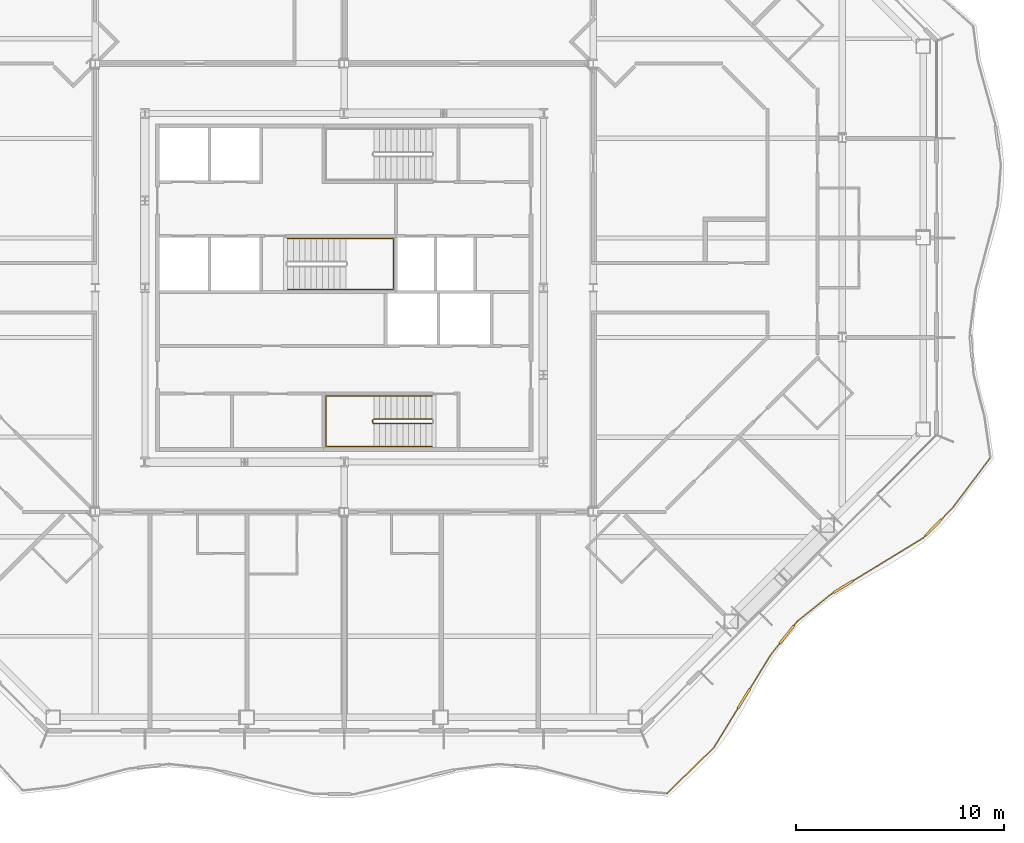
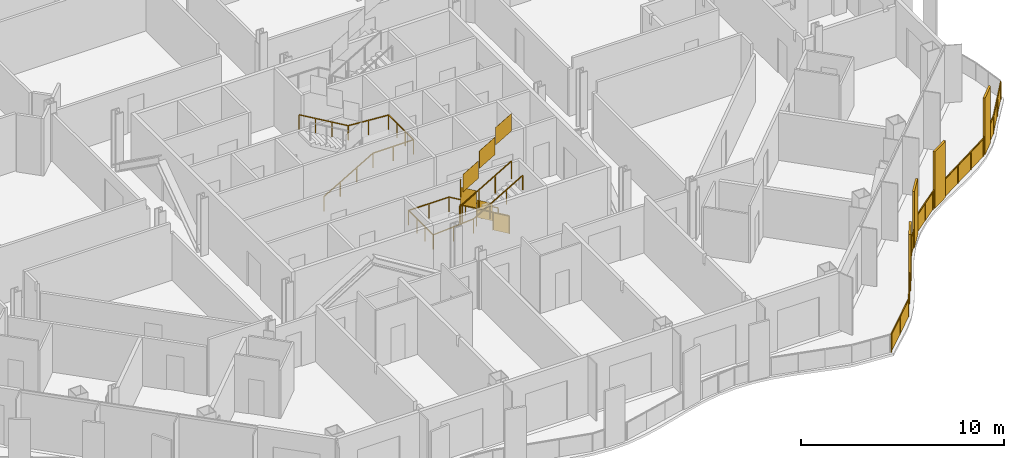
# One storey, part 18 of 21: 4 railings.
"""IFC4 building model written with IfcOpenShell, lengths in metres."""

import ifcopenshell
import ifcopenshell.guid

model = None  # the IFC model being written
_history = None  # IfcOwnerHistory: only IFC2X3 demands one
_inside = {}  # id of a spatial element -> (the spatial element, [elements in it])
_under = {}  # id of a project, library or spatial element -> (it, [spatial elements below it])
_declared = {}  # id of a project -> (the project, [libraries it declares])
_typed = {}  # id of a type object -> (the type object, [elements of that type])
_made_of = {}  # id of a material, layer set ... -> (it, [elements and type objects made of it])


def new_model(schema):
    """Start an empty IFC model of exactly this schema.

    Asked for "IFC4X3", IfcOpenShell would pick the latest addendum, in which some entities
    have other attributes; the version numbers below select the first issue.
    IFC2X3 requires an IfcOwnerHistory on every rooted entity: one is made here for all.
    """
    global model, _history
    if schema == "IFC4X3":
        model = ifcopenshell.file(schema_version=(4, 3, 0, 0))
    else:
        model = ifcopenshell.file(schema=schema)
    _inside.clear()
    _under.clear()
    _declared.clear()
    _typed.clear()
    _made_of.clear()
    _history = None
    if model.schema == "IFC2X3":
        org = make("IfcOrganization", Name="unknown")
        user = make(
            "IfcPersonAndOrganization",
            ThePerson=make("IfcPerson", FamilyName="unknown"),
            TheOrganization=org,
        )
        app = make(
            "IfcApplication",
            ApplicationDeveloper=org,
            Version="unknown",
            ApplicationFullName="unknown",
            ApplicationIdentifier="unknown",
        )
        _history = make(
            "IfcOwnerHistory",
            OwningUser=user,
            OwningApplication=app,
            ChangeAction="ADDED",
            CreationDate=0,
        )
    return model


def make(cls, **values):
    """One entity of the class cls with the attributes given. An attribute that is None is left unset."""
    return model.create_entity(
        cls, **{name: value for name, value in values.items() if value is not None}
    )


def rooted(cls, **values):
    """An entity with a GlobalId (a new one), such as an element, a storey or a relation."""
    return make(cls, GlobalId=ifcopenshell.guid.new(), OwnerHistory=_history, **values)


def si_unit(unit_type, name, prefix=None):
    """IfcSIUnit, for example si_unit("LENGTHUNIT", "METRE", prefix="MILLI")."""
    return make("IfcSIUnit", UnitType=unit_type, Prefix=prefix, Name=name)


def assignment(units):
    """IfcUnitAssignment: the units of a project."""
    return None if units is None else make("IfcUnitAssignment", Units=units)


def point(xyz):
    """IfcCartesianPoint."""
    return None if xyz is None else make("IfcCartesianPoint", Coordinates=xyz)


def direction(xyz):
    """IfcDirection."""
    return None if xyz is None else make("IfcDirection", DirectionRatios=xyz)


def frame(location, z_axis=None, x_axis=None):
    """IfcAxis2Placement3D, a coordinate frame: its origin and axes. An axis left out is left unset."""
    return make(
        "IfcAxis2Placement3D",
        Location=point(location),
        Axis=direction(z_axis),
        RefDirection=direction(x_axis),
    )


def frame_2d(location, x_axis=None):
    """IfcAxis2Placement2D, a coordinate frame in the plane: its origin and x axis."""
    return make(
        "IfcAxis2Placement2D", Location=point(location), RefDirection=direction(x_axis)
    )


def origin():
    """The frame at (0, 0, 0) with its axes left unset."""
    return frame((0.0, 0.0, 0.0))


def origin_2d():
    """The frame at (0, 0) in the plane with its x axis left unset."""
    return frame_2d((0.0, 0.0))


def place(relative_to, where):
    """IfcLocalPlacement: puts the frame where relative to a parent placement (None: the world)."""
    return make(
        "IfcLocalPlacement", PlacementRelTo=relative_to, RelativePlacement=where
    )


def context(
    kind, dimensions, precision=None, world=None, true_north=None, identifier=None
):
    """IfcGeometricRepresentationContext, for example the 3D "Model" context."""
    return make(
        "IfcGeometricRepresentationContext",
        ContextIdentifier=identifier,
        ContextType=kind,
        CoordinateSpaceDimension=dimensions,
        Precision=precision,
        WorldCoordinateSystem=world,
        TrueNorth=true_north,
    )


def subcontext(parent, identifier, kind, view, scale=None):
    """IfcGeometricRepresentationSubContext, for example "Body" below "Model"."""
    return make(
        "IfcGeometricRepresentationSubContext",
        ContextIdentifier=identifier,
        ContextType=kind,
        ParentContext=parent,
        TargetScale=scale,
        TargetView=view,
    )


def project(units=None, contexts=None):
    """IfcProject with its units and contexts."""
    return rooted(
        "IfcProject",
        Name="project",
        RepresentationContexts=contexts,
        UnitsInContext=assignment(units),
    )


def spatial(cls, under=None, at=None, **own):
    """A site, building, storey or space (cls), placed at a placement, below another one or the project."""
    s = rooted(cls, ObjectPlacement=at, **own)
    if under is not None:
        _under.setdefault(under.id(), (under, []))[1].append(s)
    return s


def polyline(points):
    """IfcPolyline through the points."""
    return make("IfcPolyline", Points=[point(p) for p in points])


def profile(cls, at=None, kind="AREA", **sizes):
    """A parametric profile (cls). Its sizes go by their IFC names, for example OverallWidth=200.0."""
    return make(cls, ProfileType=kind, Position=at, **sizes)


def rectangle(**sizes):
    """IfcRectangleProfileDef."""
    return profile("IfcRectangleProfileDef", **sizes)


def outline(outer, holes=None, kind="AREA"):
    """IfcArbitraryClosedProfileDef: a profile drawn as a closed curve; with holes, ...WithVoids."""
    if holes is None:
        return make("IfcArbitraryClosedProfileDef", ProfileType=kind, OuterCurve=outer)
    return make(
        "IfcArbitraryProfileDefWithVoids",
        ProfileType=kind,
        OuterCurve=outer,
        InnerCurves=holes,
    )


def extrude(swept, where, along, depth):
    """IfcExtrudedAreaSolid: the profile swept, set in the frame where, extruded along a direction by depth."""
    return make(
        "IfcExtrudedAreaSolid",
        SweptArea=swept,
        Position=where,
        ExtrudedDirection=direction(along),
        Depth=depth,
    )


def shape(context_of_items, identifier, shape_type, items):
    """IfcShapeRepresentation: the items that make up one representation, for example the "Body"."""
    return make(
        "IfcShapeRepresentation",
        ContextOfItems=context_of_items,
        RepresentationIdentifier=identifier,
        RepresentationType=shape_type,
        Items=items,
    )


def material(Name=None, Category=None):
    """IfcMaterial."""
    return make("IfcMaterial", Name=Name, Category=Category)


def made_of(thing, what):
    """Note that an element or type object is made of a material, layer set ...; save() writes the relation."""
    if what is not None:
        _made_of.setdefault(what.id(), (what, []))[1].append(thing)
    return thing


def type_object(cls, material=None, **own):
    """A type object (cls), such as IfcWallType, which elements share."""
    return made_of(rooted(cls, **own), material)


def element(
    cls,
    number,
    at=None,
    inside=None,
    cuts=None,
    type_object=None,
    material=None,
    context=None,
    identifier="Body",
    shape_type=None,
    held_by="IfcProductDefinitionShape",
    body=None,
    shapes=None,
    **own,
):
    """One element of the class cls, such as IfcWall. Its Tag is "e" and its number.

    at: its placement. inside: the storey or other place that contains it. cuts: it is an
    opening in that element (IfcRelVoidsElement). A single representation is given by context,
    identifier, shape_type and body (its items); several are given by shapes. held_by: the class
    of the entity that holds the representations. save() writes the other relations.
    """
    e = rooted(cls, Tag="e%d" % number, ObjectPlacement=at, **own)
    if body is not None:
        shapes = [shape(context, identifier, shape_type, body)]
    if shapes is not None:
        e.Representation = make(held_by, Representations=shapes)
    if inside is not None:
        _inside.setdefault(inside.id(), (inside, []))[1].append(e)
    if cuts is not None:
        rooted(
            "IfcRelVoidsElement", RelatingBuildingElement=cuts, RelatedOpeningElement=e
        )
    if type_object is not None:
        _typed.setdefault(type_object.id(), (type_object, []))[1].append(e)
    return made_of(e, material)


def aggregate(whole, parts):
    """IfcRelAggregates: a whole, such as a stair, and the parts it consists of."""
    return rooted("IfcRelAggregates", RelatingObject=whole, RelatedObjects=parts)


def save(model, path):
    """Write the relations noted so far, then the file.

    IfcRelAggregates (storeys below a building ...), IfcRelContainedInSpatialStructure (elements
    in a storey), IfcRelDefinesByType, IfcRelAssociatesMaterial and IfcRelDeclares: one each for
    every whole, place, type object, material and project.
    """
    for whole, parts in _under.values():
        aggregate(whole, parts)
    for where, things in _inside.values():
        rooted(
            "IfcRelContainedInSpatialStructure",
            RelatedElements=things,
            RelatingStructure=where,
        )
    for kind, things in _typed.values():
        rooted("IfcRelDefinesByType", RelatedObjects=things, RelatingType=kind)
    for what, things in _made_of.values():
        rooted("IfcRelAssociatesMaterial", RelatedObjects=things, RelatingMaterial=what)
    for by, libraries in _declared.values():
        rooted("IfcRelDeclares", RelatingContext=by, RelatedDefinitions=libraries)
    model.write(path)


model = new_model("IFC4")

# Units and contexts
model_context = context("Model", 3, precision=1e-05, world=origin(), true_north=direction((0.0, 1.0)))
body_context = subcontext(model_context, "Body", "Model", "MODEL_VIEW")
ifc_project = project(units=[si_unit("LENGTHUNIT", "METRE"), si_unit("AREAUNIT", "SQUARE_METRE"), si_unit("VOLUMEUNIT", "CUBIC_METRE"), si_unit("PLANEANGLEUNIT", "RADIAN"), si_unit("MASSUNIT", "GRAM", prefix="KILO")], contexts=[model_context])

# Site, building, storey
site_placement = place(None, origin())
site = spatial("IfcSite", under=ifc_project, at=site_placement, CompositionType="ELEMENT")
building_placement = place(site_placement, origin())
building = spatial("IfcBuilding", under=site, at=building_placement, Name="Cairn Pilgrim Tower", CompositionType="ELEMENT")
storey_placement = place(building_placement, frame((0.0, 0.0, 143.39990234375)))
storey = spatial("IfcBuildingStorey", under=building, at=storey_placement, Name="L35", CompositionType="ELEMENT", Elevation=143.39990234375)

# Railings
ifc_material_1 = material(Name="Bronze anodised aluminium rail, posts and fin screens with laminated glass infill", Category="aluminium")
railing_type_1 = type_object("IfcRailingType", Name="BALCONY GUARD WITH FIN SCREENS", PredefinedType="GUARDRAIL", material=ifc_material_1)
railing_1_placement = place(storey_placement, frame((22.7529296875, -21.963134765625, 0.0)))
element("IfcRailing", 1, at=railing_1_placement, inside=storey, type_object=railing_type_1, Name="Balcony guard BGF-2 with fin screens", PredefinedType="GUARDRAIL", context=body_context, shape_type="SweptSolid", body=[
    extrude(rectangle(XDim=0.050048828125, YDim=0.050048828125, at=origin_2d()), frame((0.0, 0.0, 1.0751953125), z_axis=(0.716130519256, 0.697966388439, 0.0), x_axis=(-0.697966388439, 0.716130519256, 0.0)), (0.0, 0.0, 1.0), 3.15869140625),
    extrude(rectangle(XDim=1.10009765625, YDim=0.110107421875, at=origin_2d()), frame((3.70947265625, 4.569091796875, 0.0), z_axis=(0.0, 0.0, 1.0), x_axis=(0.52208660069, 0.852892479378, 0.0)), (0.0, 0.0, 1.0), 3.39990234375),
    extrude(rectangle(XDim=0.050048828125, YDim=0.050048828125, at=origin_2d()), frame((2.261962890625, 2.20458984375, 1.0751953125), z_axis=(0.52208660069, 0.852892479378, 0.0), x_axis=(-0.852892479378, 0.52208660069, 0.0)), (0.0, 0.0, 1.0), 2.222412109375),
    extrude(rectangle(XDim=0.050048828125, YDim=0.050048828125, at=origin_2d()), frame((3.99658203125, 5.038330078125, 1.0751953125), z_axis=(0.52208660069, 0.852892479378, 0.0), x_axis=(-0.852892479378, 0.52208660069, 0.0)), (0.0, 0.0, 1.0), 1.904296875),
    extrude(rectangle(XDim=1.10009765625, YDim=0.110107421875, at=origin_2d()), frame((5.779052734375, 7.65625, 0.0), z_axis=(0.0, 0.0, 1.0), x_axis=(0.621419604969, 0.783477934955, 0.0)), (0.0, 0.0, 1.0), 3.39990234375),
    extrude(rectangle(XDim=0.050048828125, YDim=0.050048828125, at=origin_2d()), frame((4.99072265625, 6.662353515625, 1.0751953125), z_axis=(0.621419604969, 0.783477934955, 0.0), x_axis=(-0.783477934955, 0.621419604969, 0.0)), (0.0, 0.0, 1.0), 0.71875),
    extrude(rectangle(XDim=0.050048828125, YDim=0.050048828125, at=origin_2d()), frame((6.120849609375, 8.087158203125, 1.0751953125), z_axis=(0.621419604969, 0.783477934955, 0.0), x_axis=(-0.783477934955, 0.621419604969, 0.0)), (0.0, 0.0, 1.0), 0.25732421875),
    extrude(rectangle(XDim=0.050048828125, YDim=0.050048828125, at=origin_2d()), frame((6.28076171875, 8.288818359375, 1.0751953125), z_axis=(0.778867272827, 0.627188784434, 0.0), x_axis=(-0.627188784434, 0.778867272827, 0.0)), (0.0, 0.0, 1.0), 2.07470703125),
    extrude(rectangle(XDim=1.10009765625, YDim=0.110107421875, at=origin_2d()), frame((8.494140625, 9.95458984375, 0.0), z_axis=(0.0, 0.0, 1.0), x_axis=(0.853679739553, 0.520798331677, 0.0)), (0.0, 0.0, 1.0), 3.39990234375),
    extrude(rectangle(XDim=0.050048828125, YDim=0.050048828125, at=origin_2d()), frame((7.896728515625, 9.590087890625, 1.0751953125), z_axis=(0.853679739553, 0.520798331677, 0.0), x_axis=(-0.520798331677, 0.853679739553, 0.0)), (0.0, 0.0, 1.0), 0.14990234375),
    extrude(rectangle(XDim=0.050048828125, YDim=0.050048828125, at=origin_2d()), frame((8.9638671875, 10.240966796875, 1.0751953125), z_axis=(0.853679739553, 0.520798331677, 0.0), x_axis=(-0.520798331677, 0.853679739553, 0.0)), (0.0, 0.0, 1.0), 3.979248046875),
    extrude(rectangle(XDim=1.10009765625, YDim=0.110107421875, at=origin_2d()), frame((12.849609375, 12.814453125, 0.0), z_axis=(0.0, 0.0, 1.0), x_axis=(0.698360314303, 0.71574637366, 0.0)), (0.0, 0.0, 1.0), 3.39990234375),
    extrude(rectangle(XDim=0.050048828125, YDim=0.050048828125, at=origin_2d()), frame((12.36083984375, 12.3134765625, 1.0751953125), z_axis=(0.698360314303, 0.71574637366, 0.0), x_axis=(-0.71574637366, 0.698360314303, 0.0)), (0.0, 0.0, 1.0), 0.14990234375),
    extrude(rectangle(XDim=0.050048828125, YDim=0.050048828125, at=origin_2d()), frame((13.23388671875, 13.208251953125, 1.0751953125), z_axis=(0.698360314303, 0.71574637366, 0.0), x_axis=(-0.71574637366, 0.698360314303, 0.0)), (0.0, 0.0, 1.0), 0.758056640625),
    extrude(rectangle(XDim=0.050048828125, YDim=0.050048828125, at=origin_2d()), frame((13.76318359375, 13.750732421875, 1.0751953125), z_axis=(0.600605369971, 0.799545614435, 0.0), x_axis=(-0.799545614435, 0.600605369971, 0.0)), (0.0, 0.0, 1.0), 2.96728515625),
    extrude(rectangle(XDim=0.050048828125, YDim=0.050048828125, at=origin_2d()), origin(), (0.0, 0.0, 1.0), 1.050048828125),
    extrude(rectangle(XDim=0.050048828125, YDim=0.050048828125, at=origin_2d()), frame((1.130859375, 1.102294921875, 0.0)), (0.0, 0.0, 1.0), 1.050048828125),
    extrude(rectangle(XDim=0.050048828125, YDim=0.050048828125, at=origin_2d()), frame((2.261962890625, 2.20458984375, 0.0)), (0.0, 0.0, 1.0), 1.050048828125),
    extrude(rectangle(XDim=0.050048828125, YDim=0.050048828125, at=origin_2d()), frame((2.835693359375, 3.1416015625, 0.0)), (0.0, 0.0, 1.0), 1.050048828125),
    extrude(rectangle(XDim=0.050048828125, YDim=0.050048828125, at=origin_2d()), frame((3.4091796875, 4.07861328125, 0.0)), (0.0, 0.0, 1.0), 1.050048828125),
    extrude(rectangle(XDim=0.050048828125, YDim=0.050048828125, at=origin_2d()), frame((4.009521484375, 5.0595703125, 0.0)), (0.0, 0.0, 1.0), 1.050048828125),
    extrude(rectangle(XDim=0.050048828125, YDim=0.050048828125, at=origin_2d()), frame((4.500244140625, 5.861083984375, 0.0)), (0.0, 0.0, 1.0), 1.050048828125),
    extrude(rectangle(XDim=0.050048828125, YDim=0.050048828125, at=origin_2d()), frame((4.99072265625, 6.662353515625, 0.0)), (0.0, 0.0, 1.0), 1.050048828125),
    extrude(rectangle(XDim=0.050048828125, YDim=0.050048828125, at=origin_2d()), frame((5.421875, 7.205810546875, 0.0)), (0.0, 0.0, 1.0), 1.050048828125),
    extrude(rectangle(XDim=0.050048828125, YDim=0.050048828125, at=origin_2d()), frame((6.136474609375, 8.10693359375, 0.0)), (0.0, 0.0, 1.0), 1.050048828125),
    extrude(rectangle(XDim=0.050048828125, YDim=0.050048828125, at=origin_2d()), frame((6.28076171875, 8.288818359375, 0.0)), (0.0, 0.0, 1.0), 1.050048828125),
    extrude(rectangle(XDim=0.050048828125, YDim=0.050048828125, at=origin_2d()), frame((7.0888671875, 8.939453125, 0.0)), (0.0, 0.0, 1.0), 1.050048828125),
    extrude(rectangle(XDim=0.050048828125, YDim=0.050048828125, at=origin_2d()), frame((7.896728515625, 9.590087890625, 0.0)), (0.0, 0.0, 1.0), 1.050048828125),
    extrude(rectangle(XDim=0.050048828125, YDim=0.050048828125, at=origin_2d()), frame((8.00341796875, 9.655029296875, 0.0)), (0.0, 0.0, 1.0), 1.050048828125),
    extrude(rectangle(XDim=0.050048828125, YDim=0.050048828125, at=origin_2d()), frame((8.985107421875, 10.254150390625, 0.0)), (0.0, 0.0, 1.0), 1.050048828125),
    extrude(rectangle(XDim=0.050048828125, YDim=0.050048828125, at=origin_2d()), frame((10.1103515625, 10.940673828125, 0.0)), (0.0, 0.0, 1.0), 1.050048828125),
    extrude(rectangle(XDim=0.050048828125, YDim=0.050048828125, at=origin_2d()), frame((11.235595703125, 11.626953125, 0.0)), (0.0, 0.0, 1.0), 1.050048828125),
    extrude(rectangle(XDim=0.050048828125, YDim=0.050048828125, at=origin_2d()), frame((12.36083984375, 12.3134765625, 0.0)), (0.0, 0.0, 1.0), 1.050048828125),
    extrude(rectangle(XDim=0.050048828125, YDim=0.050048828125, at=origin_2d()), frame((12.447998046875, 12.40283203125, 0.0)), (0.0, 0.0, 1.0), 1.050048828125),
    extrude(rectangle(XDim=0.050048828125, YDim=0.050048828125, at=origin_2d()), frame((13.251220703125, 13.22607421875, 0.0)), (0.0, 0.0, 1.0), 1.050048828125),
    extrude(rectangle(XDim=0.050048828125, YDim=0.050048828125, at=origin_2d()), frame((13.76318359375, 13.750732421875, 0.0)), (0.0, 0.0, 1.0), 1.050048828125),
    extrude(rectangle(XDim=0.050048828125, YDim=0.050048828125, at=origin_2d()), frame((14.654296875, 14.93701171875, 0.0)), (0.0, 0.0, 1.0), 1.050048828125),
    extrude(rectangle(XDim=0.050048828125, YDim=0.050048828125, at=origin_2d()), frame((15.54541015625, 16.123291015625, 0.0)), (0.0, 0.0, 1.0), 1.050048828125),
    extrude(outline(polyline([(0.02490234375, 0.0), (1.55419921875, 0.0), (1.55419921875, 1.050048828125), (0.02490234375, 1.050048828125), (0.02490234375, 0.0)])), frame((-0.004150390625, 0.00439453125, 0.0), z_axis=(0.697966388439, -0.716130519256, 0.0), x_axis=(0.716130519256, 0.697966388439, 0.0)), (0.0, 0.0, 1.0), 0.011962890625),
    extrude(outline(polyline([(0.02490234375, 0.0), (1.55419921875, 0.0), (1.55419921875, 1.050048828125), (0.02490234375, 1.050048828125), (0.02490234375, 0.0)])), frame((1.126708984375, 1.106689453125, 0.0), z_axis=(0.697966388439, -0.716130519256, 0.0), x_axis=(0.716130519256, 0.697966388439, 0.0)), (0.0, 0.0, 1.0), 0.011962890625),
    extrude(outline(polyline([(0.02490234375, 0.0), (1.07373046875, 0.0), (1.07373046875, 1.050048828125), (0.02490234375, 1.050048828125), (0.02490234375, 0.0)])), frame((2.2568359375, 2.207763671875, 0.0), z_axis=(0.852892479378, -0.52208660069, 0.0), x_axis=(0.52208660069, 0.852892479378, 0.0)), (0.0, 0.0, 1.0), 0.011962890625),
    extrude(outline(polyline([(0.02490234375, 0.0), (1.07373046875, 0.0), (1.07373046875, 1.050048828125), (0.02490234375, 1.050048828125), (0.02490234375, 0.0)])), frame((2.83056640625, 3.144775390625, 0.0), z_axis=(0.852892479378, -0.52208660069, 0.0), x_axis=(0.52208660069, 0.852892479378, 0.0)), (0.0, 0.0, 1.0), 0.011962890625),
    extrude(outline(polyline([(0.02490234375, 0.0), (0.91455078125, 0.0), (0.91455078125, 1.050048828125), (0.02490234375, 1.050048828125), (0.02490234375, 0.0)])), frame((4.00439453125, 5.062744140625, 0.0), z_axis=(0.852892479378, -0.52208660069, 0.0), x_axis=(0.52208660069, 0.852892479378, 0.0)), (0.0, 0.0, 1.0), 0.011962890625),
    extrude(outline(polyline([(0.02490234375, 0.0), (0.91455078125, 0.0), (0.91455078125, 1.050048828125), (0.02490234375, 1.050048828125), (0.02490234375, 0.0)])), frame((4.4951171875, 5.864013671875, 0.0), z_axis=(0.852892479378, -0.52208660069, 0.0), x_axis=(0.52208660069, 0.852892479378, 0.0)), (0.0, 0.0, 1.0), 0.011962890625),
    extrude(outline(polyline([(0.02490234375, 0.0), (0.668701171875, 0.0), (0.668701171875, 1.050048828125), (0.02490234375, 1.050048828125), (0.02490234375, 0.0)])), frame((4.986083984375, 6.666015625, 0.0), z_axis=(0.783477934955, -0.621419604969, 0.0), x_axis=(0.621419604969, 0.783477934955, 0.0)), (0.0, 0.0, 1.0), 0.011962890625),
    extrude(outline(polyline([(0.02490234375, 0.0), (0.207275390625, 0.0), (0.207275390625, 1.050048828125), (0.02490234375, 1.050048828125), (0.02490234375, 0.0)])), frame((6.1318359375, 8.110595703125, 0.0), z_axis=(0.783477934955, -0.621419604969, 0.0), x_axis=(0.621419604969, 0.783477934955, 0.0)), (0.0, 0.0, 1.0), 0.011962890625),
    extrude(outline(polyline([(0.02490234375, 0.0), (1.012451171875, 0.0), (1.012451171875, 1.050048828125), (0.02490234375, 1.050048828125), (0.02490234375, 0.0)])), frame((6.277099609375, 8.29345703125, 0.0), z_axis=(0.627188784434, -0.778867272827, 0.0), x_axis=(0.778867272827, 0.627188784434, 0.0)), (0.0, 0.0, 1.0), 0.011962890625),
    extrude(outline(polyline([(0.02490234375, 0.0), (1.012451171875, 0.0), (1.012451171875, 1.050048828125), (0.02490234375, 1.050048828125), (0.02490234375, 0.0)])), frame((7.0849609375, 8.944091796875, 0.0), z_axis=(0.627188784434, -0.778867272827, 0.0), x_axis=(0.778867272827, 0.627188784434, 0.0)), (0.0, 0.0, 1.0), 0.011962890625),
    extrude(outline(polyline([(0.02490234375, 0.0), (0.099853515625, 0.0), (0.099853515625, 1.050048828125), (0.02490234375, 1.050048828125), (0.02490234375, 0.0)])), frame((7.8935546875, 9.59521484375, 0.0), z_axis=(0.520798331677, -0.853679739553, 0.0), x_axis=(0.853679739553, 0.520798331677, 0.0)), (0.0, 0.0, 1.0), 0.011962890625),
    extrude(outline(polyline([(0.02490234375, 0.0), (1.29296875, 0.0), (1.29296875, 1.050048828125), (0.02490234375, 1.050048828125), (0.02490234375, 0.0)])), frame((8.98193359375, 10.25927734375, 0.0), z_axis=(0.520798331677, -0.853679739553, 0.0), x_axis=(0.853679739553, 0.520798331677, 0.0)), (0.0, 0.0, 1.0), 0.011962890625),
    extrude(outline(polyline([(0.02490234375, 0.0), (1.29296875, 0.0), (1.29296875, 1.050048828125), (0.02490234375, 1.050048828125), (0.02490234375, 0.0)])), frame((10.107177734375, 10.945556640625, 0.0), z_axis=(0.520798331677, -0.853679739553, 0.0), x_axis=(0.853679739553, 0.520798331677, 0.0)), (0.0, 0.0, 1.0), 0.011962890625),
    extrude(outline(polyline([(0.02490234375, 0.0), (1.29296875, 0.0), (1.29296875, 1.050048828125), (0.02490234375, 1.050048828125), (0.02490234375, 0.0)])), frame((11.232421875, 11.632080078125, 0.0), z_axis=(0.520798331677, -0.853679739553, 0.0), x_axis=(0.853679739553, 0.520798331677, 0.0)), (0.0, 0.0, 1.0), 0.011962890625),
    extrude(outline(polyline([(0.02490234375, 0.0), (0.099853515625, 0.0), (0.099853515625, 1.050048828125), (0.02490234375, 1.050048828125), (0.02490234375, 0.0)])), frame((12.3564453125, 12.317626953125, 0.0), z_axis=(0.71574637366, -0.698360314303, 0.0), x_axis=(0.698360314303, 0.71574637366, 0.0)), (0.0, 0.0, 1.0), 0.011962890625),
    extrude(outline(polyline([(0.02490234375, 0.0), (0.7080078125, 0.0), (0.7080078125, 1.050048828125), (0.02490234375, 1.050048828125), (0.02490234375, 0.0)])), frame((13.2470703125, 13.230224609375, 0.0), z_axis=(0.71574637366, -0.698360314303, 0.0), x_axis=(0.698360314303, 0.71574637366, 0.0)), (0.0, 0.0, 1.0), 0.011962890625),
    extrude(outline(polyline([(0.02490234375, 0.0), (1.458740234375, 0.0), (1.458740234375, 1.050048828125), (0.02490234375, 1.050048828125), (0.02490234375, 0.0)])), frame((13.75830078125, 13.75439453125, 0.0), z_axis=(0.799545614435, -0.600605369971, 0.0), x_axis=(0.600605369971, 0.799545614435, 0.0)), (0.0, 0.0, 1.0), 0.011962890625),
    extrude(outline(polyline([(0.02490234375, 0.0), (1.458740234375, 0.0), (1.458740234375, 1.050048828125), (0.02490234375, 1.050048828125), (0.02490234375, 0.0)])), frame((14.6494140625, 14.940673828125, 0.0), z_axis=(0.799545614435, -0.600605369971, 0.0), x_axis=(0.600605369971, 0.799545614435, 0.0)), (0.0, 0.0, 1.0), 0.011962890625),
])
ifc_material_2 = material(Name="Painted steel", Category="steel")
railing_type_2 = type_object("IfcRailingType", Name="STAIR GUARD 1100", PredefinedType="GUARDRAIL", material=ifc_material_2)
railing_2_placement = place(storey_placement, frame((11.425048828125, -3.925048828125, 0.163818359375)))
element("IfcRailing", 2, at=railing_2_placement, inside=storey, type_object=railing_type_2, Name="L35 ST-A stair guard 1", PredefinedType="GUARDRAIL", context=body_context, shape_type="SweptSolid", body=[
    extrude(rectangle(XDim=0.048095703125, YDim=0.048095703125, at=origin_2d()), frame((0.0, 0.0, 1.076171875), z_axis=(-0.863393664356, 0.0, 0.504530851732), x_axis=(0.0, -1.0, 0.0)), (0.0, 0.0, 1.0), 3.2431640625),
    extrude(rectangle(XDim=0.048095703125, YDim=0.048095703125, at=origin_2d()), frame((-2.800048828125, 0.0, 2.71240234375), z_axis=(-0.707106781187, -0.707106781187, 0.0), x_axis=(0.707106781187, -0.707106781187, 0.0)), (0.0, 0.0, 1.0), 0.07080078125),
    extrude(rectangle(XDim=0.048095703125, YDim=0.048095703125, at=origin_2d()), frame((-2.85009765625, -0.050048828125, 2.71240234375), z_axis=(0.0, -1.0, 0.0), x_axis=(1.0, 0.0, 0.0)), (0.0, 0.0, 1.0), 0.125),
    extrude(rectangle(XDim=0.048095703125, YDim=0.048095703125, at=origin_2d()), frame((-2.85009765625, -0.175048828125, 2.71240234375), z_axis=(0.280916556609, -0.279546231943, 0.91811752648), x_axis=(0.705375805398, 0.708833529934, 0.0)), (0.0, 0.0, 1.0), 0.17822265625),
    extrude(rectangle(XDim=0.048095703125, YDim=0.048095703125, at=origin_2d()), frame((-2.800048828125, -0.224853515625, 2.8759765625), z_axis=(0.863360870873, 0.0, 0.504586966384), x_axis=(0.0, 1.0, 0.0)), (0.0, 0.0, 1.0), 3.2431640625),
    extrude(rectangle(XDim=0.0419921875, YDim=0.0419921875, at=origin_2d()), origin(), (0.0, 0.0, 1.0), 1.052001953125),
    extrude(rectangle(XDim=0.0419921875, YDim=0.0419921875, at=origin_2d()), frame((-0.933349609375, 0.0, 0.54541015625)), (0.0, 0.0, 1.0), 1.052001953125),
    extrude(rectangle(XDim=0.0419921875, YDim=0.0419921875, at=origin_2d()), frame((-1.86669921875, 0.0, 1.0908203125)), (0.0, 0.0, 1.0), 1.052001953125),
    extrude(rectangle(XDim=0.0419921875, YDim=0.0419921875, at=origin_2d()), frame((-2.800048828125, 0.0, 1.63623046875)), (0.0, 0.0, 1.0), 1.052001953125),
    extrude(rectangle(XDim=0.0419921875, YDim=0.0419921875, at=origin_2d()), frame((-2.85009765625, -0.050048828125, 1.63623046875)), (0.0, 0.0, 1.0), 1.052001953125),
    extrude(rectangle(XDim=0.0419921875, YDim=0.0419921875, at=origin_2d()), frame((-2.85009765625, -0.175048828125, 1.63623046875)), (0.0, 0.0, 1.0), 1.052001953125),
    extrude(rectangle(XDim=0.0419921875, YDim=0.0419921875, at=origin_2d()), frame((-2.800048828125, -0.224853515625, 1.7998046875)), (0.0, 0.0, 1.0), 1.052001953125),
    extrude(rectangle(XDim=0.0419921875, YDim=0.0419921875, at=origin_2d()), frame((-1.86669921875, -0.224853515625, 2.34521484375)), (0.0, 0.0, 1.0), 1.052001953125),
    extrude(rectangle(XDim=0.0419921875, YDim=0.0419921875, at=origin_2d()), frame((-0.933349609375, -0.224853515625, 2.890869140625)), (0.0, 0.0, 1.0), 1.052001953125),
    extrude(rectangle(XDim=0.0419921875, YDim=0.0419921875, at=origin_2d()), frame((0.0, -0.224853515625, 3.436279296875)), (0.0, 0.0, 1.0), 1.052001953125),
    extrude(outline(polyline([(0.02099609375, 0.01220703125), (0.912353515625, 0.533203125), (0.912353515625, 1.585205078125), (0.02099609375, 1.064208984375), (0.02099609375, 0.01220703125)])), frame((0.0, -0.005859375, 0.0), z_axis=(0.0, 1.0, 0.0), x_axis=(-1.0, 0.0, 0.0)), (0.0, 0.0, 1.0), 0.011962890625),
    extrude(outline(polyline([(0.02099609375, 0.5576171875), (0.912353515625, 1.07861328125), (0.912353515625, 2.130615234375), (0.02099609375, 1.609619140625), (0.02099609375, 0.5576171875)])), frame((-0.933349609375, -0.005859375, 0.54541015625), z_axis=(0.0, 1.0, 0.0), x_axis=(-1.0, 0.0, 0.0)), (0.0, 0.0, 1.0), 0.011962890625),
    extrude(outline(polyline([(0.02099609375, 1.10302734375), (0.912353515625, 1.6240234375), (0.912353515625, 2.676025390625), (0.02099609375, 2.155029296875), (0.02099609375, 1.10302734375)])), frame((-1.86669921875, -0.005859375, 1.0908203125), z_axis=(0.0, 1.0, 0.0), x_axis=(-1.0, 0.0, 0.0)), (0.0, 0.0, 1.0), 0.011962890625),
    extrude(outline(polyline([(0.02099609375, 1.63623046875), (0.10400390625, 1.63623046875), (0.10400390625, 2.688232421875), (0.02099609375, 2.688232421875), (0.02099609375, 1.63623046875)])), frame((-2.84423828125, -0.050048828125, 1.63623046875), z_axis=(-1.0, 0.0, 0.0), x_axis=(0.0, -1.0, 0.0)), (0.0, 0.0, 1.0), 0.011962890625),
    extrude(outline(polyline([(0.02099609375, 1.81201171875), (0.912353515625, 2.3330078125), (0.912353515625, 3.385009765625), (0.02099609375, 2.864013671875), (0.02099609375, 1.81201171875)])), frame((-2.800048828125, -0.21875, 1.7998046875), z_axis=(0.0, -1.0, 0.0), x_axis=(1.0, 0.0, 0.0)), (0.0, 0.0, 1.0), 0.011962890625),
    extrude(outline(polyline([(0.02099609375, 2.357666015625), (0.912353515625, 2.87841796875), (0.912353515625, 3.930419921875), (0.02099609375, 3.40966796875), (0.02099609375, 2.357666015625)])), frame((-1.86669921875, -0.21875, 2.34521484375), z_axis=(0.0, -1.0, 0.0), x_axis=(1.0, 0.0, 0.0)), (0.0, 0.0, 1.0), 0.011962890625),
    extrude(outline(polyline([(0.02099609375, 2.903076171875), (0.912353515625, 3.424072265625), (0.912353515625, 4.47607421875), (0.02099609375, 3.955078125), (0.02099609375, 2.903076171875)])), frame((-0.933349609375, -0.21875, 2.890869140625), z_axis=(0.0, -1.0, 0.0), x_axis=(1.0, 0.0, 0.0)), (0.0, 0.0, 1.0), 0.011962890625),
])
railing_type_3 = type_object("IfcRailingType", Name="STAIR HANDRAIL 900", PredefinedType="HANDRAIL", material=ifc_material_2)
railing_3_placement = place(storey_placement, frame((11.425048828125, -2.824951171875, 0.163818359375)))
element("IfcRailing", 3, at=railing_3_placement, inside=storey, type_object=railing_type_3, Name="L35 ST-A stair handrail 1", PredefinedType="HANDRAIL", context=body_context, shape_type="SweptSolid", body=[
    extrude(rectangle(XDim=0.048095703125, YDim=0.048095703125, at=origin_2d()), frame((0.0, 0.0, 0.8759765625), z_axis=(-0.863393664356, 0.0, 0.504530851732), x_axis=(0.0, -1.0, 0.0)), (0.0, 0.0, 1.0), 3.2431640625),
    extrude(rectangle(XDim=0.048095703125, YDim=0.048095703125, at=origin_2d()), frame((-2.800048828125, 0.0, 2.51220703125), z_axis=(-1.0, 0.0, 0.0), x_axis=(0.0, -1.0, 0.0)), (0.0, 0.0, 1.0), 2.300048828125),
    extrude(rectangle(XDim=0.048095703125, YDim=0.048095703125, at=origin_2d()), frame((-5.10009765625, 0.0, 2.51220703125), z_axis=(0.0, -1.0, 0.0), x_axis=(1.0, 0.0, 0.0)), (0.0, 0.0, 1.0), 2.425048828125),
    extrude(rectangle(XDim=0.048095703125, YDim=0.048095703125, at=origin_2d()), frame((-5.10009765625, -2.425048828125, 2.51220703125), z_axis=(0.997480687736, 0.0, 0.070938548008), x_axis=(0.0, 1.0, 0.0)), (0.0, 0.0, 1.0), 2.305908203125),
    extrude(rectangle(XDim=0.048095703125, YDim=0.048095703125, at=origin_2d()), frame((-2.800048828125, -2.425048828125, 2.67578125), z_axis=(0.863360870873, 0.0, 0.504586966384), x_axis=(0.0, 1.0, 0.0)), (0.0, 0.0, 1.0), 3.2431640625),
    extrude(rectangle(XDim=0.0419921875, YDim=0.0419921875, at=origin_2d()), origin(), (0.0, 0.0, 1.0), 0.851806640625),
    extrude(rectangle(XDim=0.0419921875, YDim=0.0419921875, at=origin_2d()), frame((-0.933349609375, 0.0, 0.54541015625)), (0.0, 0.0, 1.0), 0.851806640625),
    extrude(rectangle(XDim=0.0419921875, YDim=0.0419921875, at=origin_2d()), frame((-1.86669921875, 0.0, 1.0908203125)), (0.0, 0.0, 1.0), 0.851806640625),
    extrude(rectangle(XDim=0.0419921875, YDim=0.0419921875, at=origin_2d()), frame((-2.800048828125, 0.0, 1.63623046875)), (0.0, 0.0, 1.0), 0.851806640625),
    extrude(rectangle(XDim=0.0419921875, YDim=0.0419921875, at=origin_2d()), frame((-3.9501953125, 0.0, 1.63623046875)), (0.0, 0.0, 1.0), 0.851806640625),
    extrude(rectangle(XDim=0.0419921875, YDim=0.0419921875, at=origin_2d()), frame((-5.10009765625, 0.0, 1.63623046875)), (0.0, 0.0, 1.0), 0.851806640625),
    extrude(rectangle(XDim=0.0419921875, YDim=0.0419921875, at=origin_2d()), frame((-5.10009765625, -0.808349609375, 1.63623046875)), (0.0, 0.0, 1.0), 0.851806640625),
    extrude(rectangle(XDim=0.0419921875, YDim=0.0419921875, at=origin_2d()), frame((-5.10009765625, -1.61669921875, 1.63623046875)), (0.0, 0.0, 1.0), 0.851806640625),
    extrude(rectangle(XDim=0.0419921875, YDim=0.0419921875, at=origin_2d()), frame((-5.10009765625, -2.425048828125, 1.63623046875)), (0.0, 0.0, 1.0), 0.851806640625),
    extrude(rectangle(XDim=0.0419921875, YDim=0.0419921875, at=origin_2d()), frame((-3.9501953125, -2.425048828125, 1.718017578125)), (0.0, 0.0, 1.0), 0.851806640625),
    extrude(rectangle(XDim=0.0419921875, YDim=0.0419921875, at=origin_2d()), frame((-2.800048828125, -2.425048828125, 1.7998046875)), (0.0, 0.0, 1.0), 0.851806640625),
    extrude(rectangle(XDim=0.0419921875, YDim=0.0419921875, at=origin_2d()), frame((-1.86669921875, -2.425048828125, 2.34521484375)), (0.0, 0.0, 1.0), 0.851806640625),
    extrude(rectangle(XDim=0.0419921875, YDim=0.0419921875, at=origin_2d()), frame((-0.933349609375, -2.425048828125, 2.890869140625)), (0.0, 0.0, 1.0), 0.851806640625),
    extrude(rectangle(XDim=0.0419921875, YDim=0.0419921875, at=origin_2d()), frame((0.0, -2.425048828125, 3.436279296875)), (0.0, 0.0, 1.0), 0.851806640625),
])
railing_4_placement = place(storey_placement, frame((4.47509765625, 2.324951171875, 0.163818359375)))
element("IfcRailing", 4, at=railing_4_placement, inside=storey, type_object=railing_type_3, Name="L35 ST-B stair handrail 1", PredefinedType="HANDRAIL", context=body_context, shape_type="SweptSolid", body=[
    extrude(rectangle(XDim=0.048095703125, YDim=0.048095703125, at=origin_2d()), frame((0.0, 0.0, 0.8759765625), z_axis=(0.863374499697, 0.0, 0.504563646405), x_axis=(0.0, 1.0, 0.0)), (0.0, 0.0, 1.0), 3.242919921875),
    extrude(rectangle(XDim=0.048095703125, YDim=0.048095703125, at=origin_2d()), frame((2.7998046875, 0.0, 2.51220703125), z_axis=(1.0, 0.0, 0.0), x_axis=(0.0, 1.0, 0.0)), (0.0, 0.0, 1.0), 2.300048828125),
    extrude(rectangle(XDim=0.048095703125, YDim=0.048095703125, at=origin_2d()), frame((5.099853515625, 0.0, 2.51220703125), z_axis=(0.0, 1.0, 0.0), x_axis=(-1.0, 0.0, 0.0)), (0.0, 0.0, 1.0), 2.449951171875),
    extrude(rectangle(XDim=0.048095703125, YDim=0.048095703125, at=origin_2d()), frame((5.099853515625, 2.449951171875, 2.51220703125), z_axis=(-0.997480687736, 0.0, 0.070938548008), x_axis=(0.0, -1.0, 0.0)), (0.0, 0.0, 1.0), 2.305908203125),
    extrude(rectangle(XDim=0.048095703125, YDim=0.048095703125, at=origin_2d()), frame((2.7998046875, 2.449951171875, 2.67578125), z_axis=(-0.863341702679, 0.0, 0.504619762213), x_axis=(0.0, -1.0, 0.0)), (0.0, 0.0, 1.0), 3.242919921875),
    extrude(rectangle(XDim=0.0419921875, YDim=0.0419921875, at=origin_2d()), origin(), (0.0, 0.0, 1.0), 0.851806640625),
    extrude(rectangle(XDim=0.0419921875, YDim=0.0419921875, at=origin_2d()), frame((0.933349609375, 0.0, 0.54541015625)), (0.0, 0.0, 1.0), 0.851806640625),
    extrude(rectangle(XDim=0.0419921875, YDim=0.0419921875, at=origin_2d()), frame((1.866455078125, 0.0, 1.0908203125)), (0.0, 0.0, 1.0), 0.851806640625),
    extrude(rectangle(XDim=0.0419921875, YDim=0.0419921875, at=origin_2d()), frame((2.7998046875, 0.0, 1.63623046875)), (0.0, 0.0, 1.0), 0.851806640625),
    extrude(rectangle(XDim=0.0419921875, YDim=0.0419921875, at=origin_2d()), frame((3.94970703125, 0.0, 1.63623046875)), (0.0, 0.0, 1.0), 0.851806640625),
    extrude(rectangle(XDim=0.0419921875, YDim=0.0419921875, at=origin_2d()), frame((5.099853515625, 0.0, 1.63623046875)), (0.0, 0.0, 1.0), 0.851806640625),
    extrude(rectangle(XDim=0.0419921875, YDim=0.0419921875, at=origin_2d()), frame((5.099853515625, 0.816650390625, 1.63623046875)), (0.0, 0.0, 1.0), 0.851806640625),
    extrude(rectangle(XDim=0.0419921875, YDim=0.0419921875, at=origin_2d()), frame((5.099853515625, 1.63330078125, 1.63623046875)), (0.0, 0.0, 1.0), 0.851806640625),
    extrude(rectangle(XDim=0.0419921875, YDim=0.0419921875, at=origin_2d()), frame((5.099853515625, 2.449951171875, 1.63623046875)), (0.0, 0.0, 1.0), 0.851806640625),
    extrude(rectangle(XDim=0.0419921875, YDim=0.0419921875, at=origin_2d()), frame((3.94970703125, 2.449951171875, 1.718017578125)), (0.0, 0.0, 1.0), 0.851806640625),
    extrude(rectangle(XDim=0.0419921875, YDim=0.0419921875, at=origin_2d()), frame((2.7998046875, 2.449951171875, 1.7998046875)), (0.0, 0.0, 1.0), 0.851806640625),
    extrude(rectangle(XDim=0.0419921875, YDim=0.0419921875, at=origin_2d()), frame((1.866455078125, 2.449951171875, 2.34521484375)), (0.0, 0.0, 1.0), 0.851806640625),
    extrude(rectangle(XDim=0.0419921875, YDim=0.0419921875, at=origin_2d()), frame((0.933349609375, 2.449951171875, 2.890869140625)), (0.0, 0.0, 1.0), 0.851806640625),
    extrude(rectangle(XDim=0.0419921875, YDim=0.0419921875, at=origin_2d()), frame((0.0, 2.449951171875, 3.436279296875)), (0.0, 0.0, 1.0), 0.851806640625),
])

save(model, "model.ifc")
